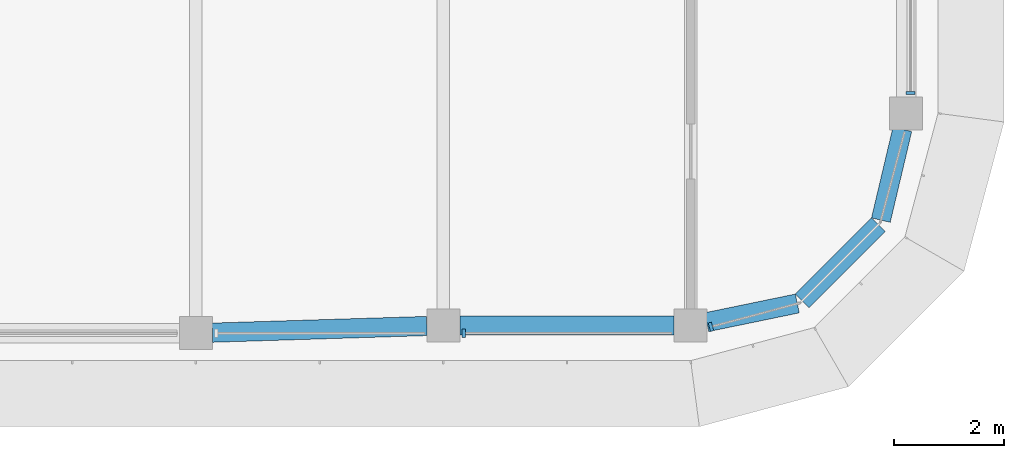
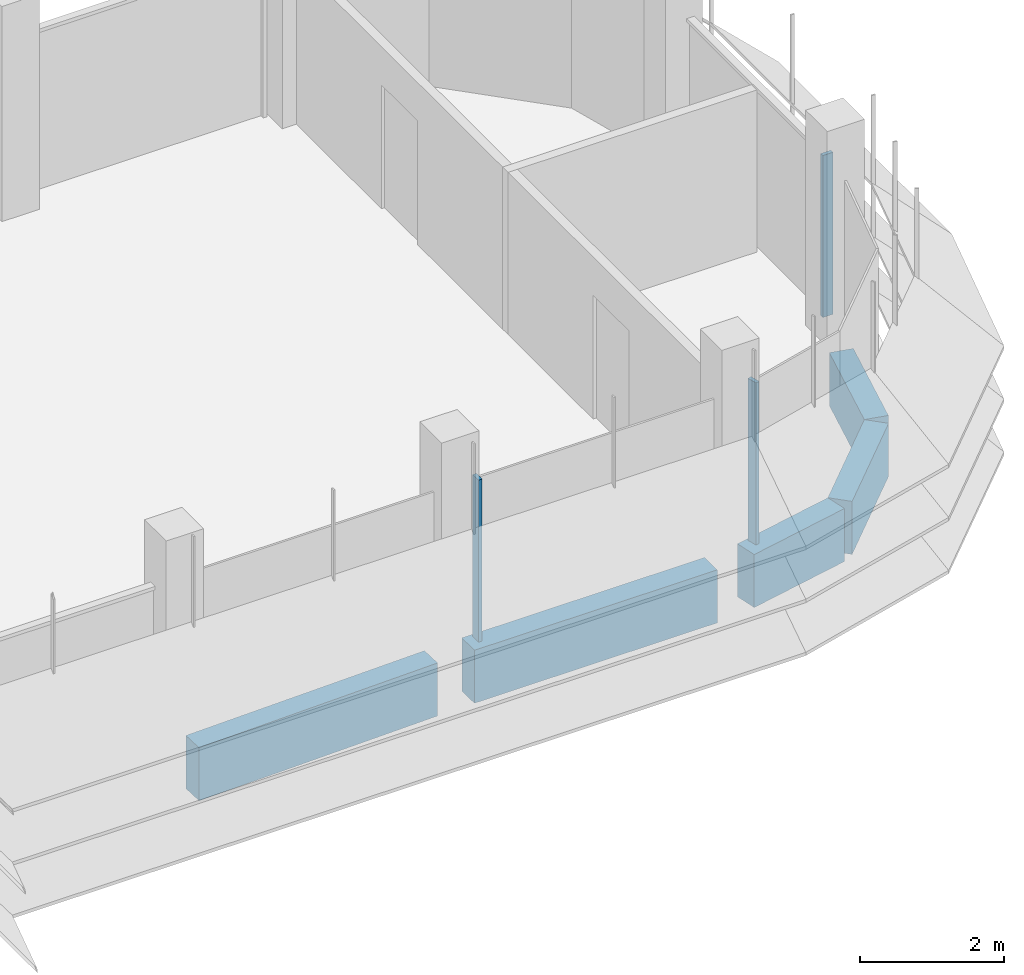
# One storey, part 5 of 19: 5 beams, 3 members, 3 elements without a shape of their own.
"""IFC4 building model written with IfcOpenShell, lengths in metres."""

from ifc_helpers import new_model, si_unit, direction, frame, origin, origin_2d, place, context, subcontext, project, spatial, polyline, rectangle, outline, extrude, source, transform, mapped, material, material_profile, profile_set, type_object, element, aggregate, save


model = new_model("IFC4")

# Units and contexts
model_context = context("Model", 3, precision=1e-05, world=origin(), true_north=direction((0.0, 1.0)))
body_context = subcontext(model_context, "Body", "Model", "MODEL_VIEW")
ifc_project = project(units=[si_unit("LENGTHUNIT", "METRE"), si_unit("AREAUNIT", "SQUARE_METRE"), si_unit("VOLUMEUNIT", "CUBIC_METRE"), si_unit("PLANEANGLEUNIT", "RADIAN"), si_unit("MASSUNIT", "GRAM", prefix="KILO")], contexts=[model_context])

# Site, building, storey
site_placement = place(None, origin())
site = spatial("IfcSite", under=ifc_project, at=site_placement, CompositionType="ELEMENT")
building_placement = place(site_placement, origin())
building = spatial("IfcBuilding", under=site, at=building_placement, Name="Zarbagh Exchange Tower", CompositionType="ELEMENT")
storey_placement = place(building_placement, frame((0.0, 0.0, 280.199951171875)))
storey = spatial("IfcBuildingStorey", under=building, at=storey_placement, Name="L69", CompositionType="ELEMENT", Elevation=280.199951171875)

# Beams
ifc_material_1 = material(Name="Concrete C40/50", Category="concrete")
ifc_material_profile = material_profile(ifc_material_1, rectangle(XDim=0.35009765625, YDim=0.89990234375, at=origin_2d()), Name="RC spandrel beam 350 x 900 C40/50")
ifc_profile_set = profile_set([ifc_material_profile], Name="Concrete C40/50")
beam_type = type_object("IfcBeamType", Name="RC spandrel beam 350 x 900 C40/50", PredefinedType="SPANDREL", material=ifc_profile_set)
beam_1_placement = place(storey_placement, frame((28.600830078125, -2.5419921875, -0.599853515625), z_axis=(-0.230258391117, -0.973129525459, 0.0), x_axis=(0.973129525459, -0.230258391117, 0.0)))
element("IfcBeam", 1, at=beam_1_placement, inside=storey, type_object=beam_type, Name="RC spandrel beam", PredefinedType="SPANDREL", context=body_context, shape_type="SweptSolid", body=[
    extrude(rectangle(XDim=0.35009765625, YDim=0.89990234375, at=origin_2d()), origin(), (0.0, 0.0, 1.0), 1.696533203125),
])
beam_2_placement = place(storey_placement, frame((28.163818359375, -4.2763671875, -0.599853515625), z_axis=(-0.707106781187, -0.707106781187, 0.0), x_axis=(0.707106781187, -0.707106781187, 0.0)))
element("IfcBeam", 2, at=beam_2_placement, inside=storey, type_object=beam_type, Name="RC spandrel beam", PredefinedType="SPANDREL", context=body_context, shape_type="SweptSolid", body=[
    extrude(rectangle(XDim=0.35009765625, YDim=0.89990234375, at=origin_2d()), origin(), (0.0, 0.0, 1.0), 1.95947265625),
])
beam_3_placement = place(storey_placement, frame((26.68994140625, -5.70947265625, -0.599853515625), z_axis=(-0.979349753205, -0.202173343684, 0.0), x_axis=(0.202173343684, -0.979349753205, 0.0)))
element("IfcBeam", 3, at=beam_3_placement, inside=storey, type_object=beam_type, Name="RC spandrel beam", PredefinedType="SPANDREL", context=body_context, shape_type="SweptSolid", body=[
    extrude(rectangle(XDim=0.35009765625, YDim=0.89990234375, at=origin_2d()), origin(), (0.0, 0.0, 1.0), 1.680908203125),
])
beam_4_placement = place(storey_placement, frame((24.449951171875, -6.110107421875, -0.599853515625), z_axis=(-1.0, 0.0, 0.0), x_axis=(0.0, -1.0, 0.0)))
element("IfcBeam", 4, at=beam_4_placement, inside=storey, type_object=beam_type, Name="RC spandrel beam", PredefinedType="SPANDREL", context=body_context, shape_type="SweptSolid", body=[
    extrude(rectangle(XDim=0.35009765625, YDim=0.89990234375, at=origin_2d()), origin(), (0.0, 0.0, 1.0), 3.89990234375),
])
beam_5_placement = place(storey_placement, frame((19.9501953125, -6.119384765625, -0.599853515625), z_axis=(-0.999516460907, -0.031094121249, 0.0), x_axis=(0.031094121249, -0.999516460907, 0.0)))
element("IfcBeam", 5, at=beam_5_placement, inside=storey, type_object=beam_type, Name="RC spandrel beam", PredefinedType="SPANDREL", context=body_context, shape_type="SweptSolid", body=[
    extrude(rectangle(XDim=0.35009765625, YDim=0.89990234375, at=origin_2d()), origin(), (0.0, 0.0, 1.0), 3.90234375),
])

# Curtain wall, member
ifc_material_2 = material(Name="Anodised aluminium frame and glazing", Category="aluminium")
curtain_wall_type = type_object("IfcCurtainWallType", Name="CWB Ribbon glazing, upper zones", PredefinedType="NOTDEFINED", material=ifc_material_2)
curtain_wall_1_placement = place(storey_placement, origin())
curtain_wall_1 = element("IfcCurtainWall", 6, at=curtain_wall_1_placement, inside=storey, type_object=curtain_wall_type, Name="CWB75 curtain wall", PredefinedType="NOTDEFINED")
ifc_material_3 = material(Name="Anodised aluminium frame", Category="aluminium")
member_type = type_object("IfcMemberType", Name="MUB Mullion, anodised aluminium frame", PredefinedType="MULLION", material=ifc_material_3)
shared_shape = source(origin(), body_context, "Body", "SweptSolid", [
    extrude(outline(polyline([(0.0, -0.080078125), (0.06005859375, -0.080078125), (0.06005859375, 0.080078125), (0.0, 0.080078125), (0.0, -0.080078125)])), origin(), (0.0, 0.0, 1.0), 2.75),
])
placement = place(storey_placement, origin())
member_1 = element("IfcMember", 7, at=placement, type_object=member_type, Name="CWB75 mullion 3.1", PredefinedType="MULLION", context=body_context, shape_type="MappedRepresentation", body=[
    mapped(shared_shape, transform((20.590087890625, -6.25, 0.0), x_axis=(1.0, 0.0, 0.0), y_axis=(0.0, 1.0, 0.0), z_axis=(0.0, 0.0, 1.0))),
])
aggregate(curtain_wall_1, [member_1])

curtain_wall_2_placement = place(storey_placement, origin())
curtain_wall_2 = element("IfcCurtainWall", 8, at=curtain_wall_2_placement, inside=storey, type_object=curtain_wall_type, Name="CWB76 curtain wall", PredefinedType="NOTDEFINED")
member_2 = element("IfcMember", 9, at=placement, type_object=member_type, Name="CWB76 mullion 1.1", PredefinedType="MULLION", context=body_context, shape_type="MappedRepresentation", body=[
    mapped(shared_shape, transform((25.08984375, -6.141357421875, 0.0), x_axis=(0.965924289636, 0.258824779902, 0.0), y_axis=(-0.258824779902, 0.965924289636, 0.0), z_axis=(0.0, 0.0, 1.0))),
])
aggregate(curtain_wall_2, [member_2])

curtain_wall_3_placement = place(storey_placement, origin())
curtain_wall_3 = element("IfcCurtainWall", 10, at=curtain_wall_3_placement, inside=storey, type_object=curtain_wall_type, Name="CWB83 curtain wall", PredefinedType="NOTDEFINED")
member_3 = element("IfcMember", 11, at=placement, type_object=member_type, Name="CWB83 mullion 1.1", PredefinedType="MULLION", context=body_context, shape_type="MappedRepresentation", body=[
    mapped(shared_shape, transform((28.75, -1.909912109375, 0.0), x_axis=(0.0, 1.0, 0.0), y_axis=(-1.0, 0.0, 0.0), z_axis=(0.0, 0.0, 1.0))),
])
aggregate(curtain_wall_3, [member_3])

save(model, "model.ifc")
